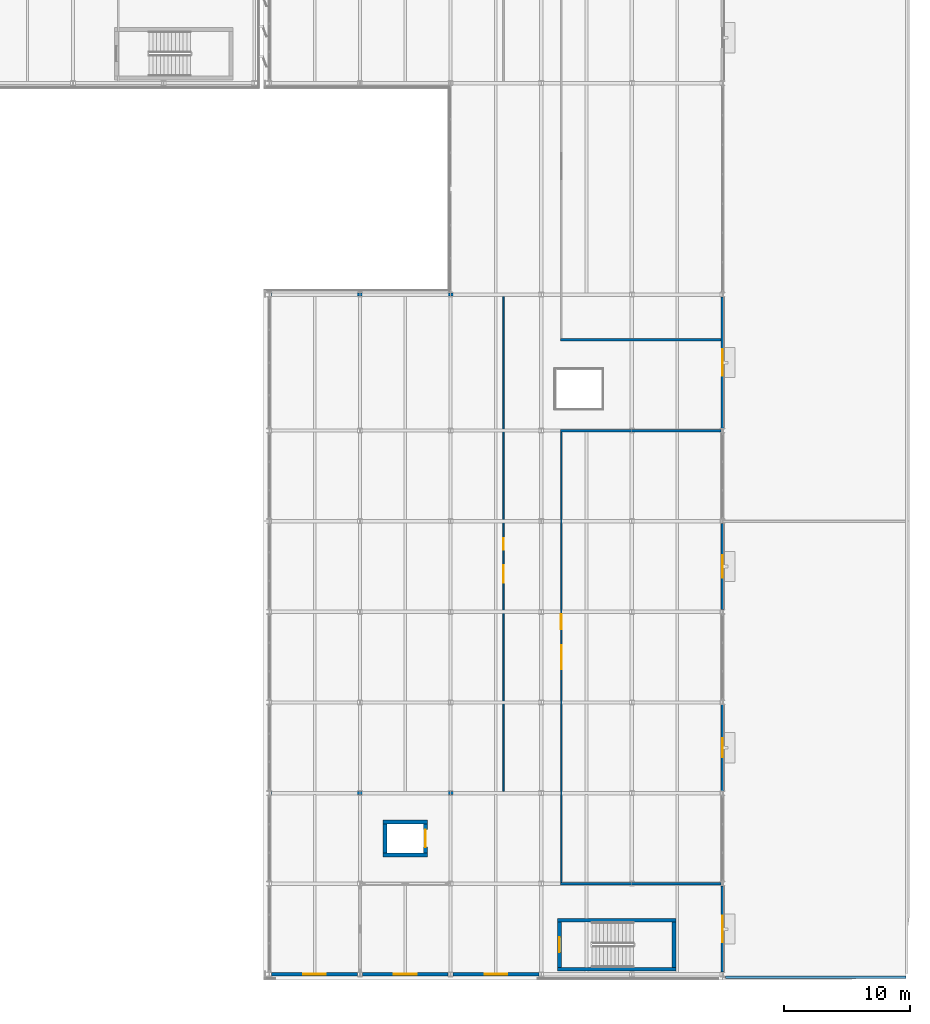
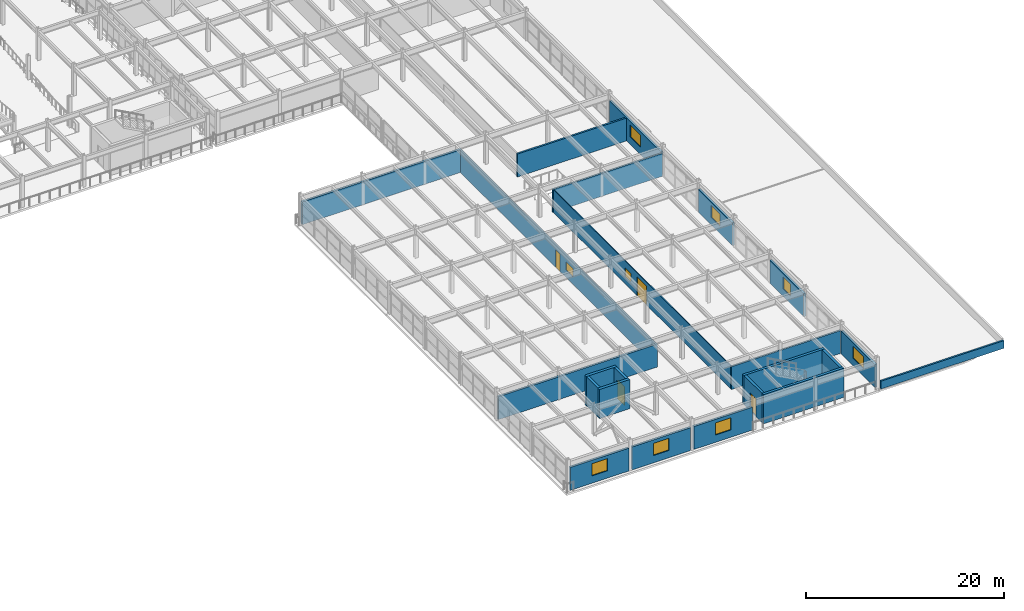
# One storey, part 54 of 80: 23 walls, 9 windows, 4 doors, 13 openings.
"""IFC4 building model written with IfcOpenShell, lengths in metres."""

from ifc_helpers import new_model, si_unit, direction, frame, frame_2d, origin, place, context, subcontext, project, spatial, rectangle, extrude, material, layer, layer_set, type_object, element, fill, save


model = new_model("IFC4")

# Units and contexts
model_context = context("Model", 3, precision=1e-05, world=origin(), true_north=direction((0.0, 1.0)))
body_context = subcontext(model_context, "Body", "Model", "MODEL_VIEW")
ifc_project = project(units=[si_unit("LENGTHUNIT", "METRE"), si_unit("AREAUNIT", "SQUARE_METRE"), si_unit("VOLUMEUNIT", "CUBIC_METRE"), si_unit("PLANEANGLEUNIT", "RADIAN"), si_unit("MASSUNIT", "GRAM", prefix="KILO")], contexts=[model_context])

# Site, building, storey
site_placement = place(None, origin())
site = spatial("IfcSite", under=ifc_project, at=site_placement, CompositionType="ELEMENT")
building_placement = place(site_placement, origin())
building = spatial("IfcBuilding", under=site, at=building_placement, Name="Vaelcorin Mobility Hub", CompositionType="ELEMENT")
storey_placement = place(building_placement, frame((0.0, 0.0, 9.300048828125)))
storey = spatial("IfcBuildingStorey", under=building, at=storey_placement, Name="L02", CompositionType="ELEMENT", Elevation=9.300048828125)

# Walls
ifc_material_1 = material(Name="Reinforced concrete f'c 45 MPa", Category="concrete")
ifc_layer_1 = layer(ifc_material_1, 0.300048828125)
ifc_layer_set_1 = layer_set([ifc_layer_1], Name="Reinforced concrete f'c 45 MPa")
wall_type_1 = type_object("IfcWallType", Name="WL-CORE-300", PredefinedType="SOLIDWALL", material=ifc_layer_set_1)
for number, where, z_axis, x_axis, name in (
    (1, (185.89990234375, 6.39990234375, 0.0), (0.0, 0.0, 1.0), (-1.0, 0.0, 0.0), "ST5 Fire Core Wall L02 South"),
    (2, (176.5, 10.300048828125, 0.0), (0.0, 0.0, 1.0), (1.0, 0.0, 0.0), "ST5 Fire Core Wall L02 North"),
):
    element("IfcWall", number, at=place(storey_placement, frame(where, z_axis=z_axis, x_axis=x_axis)), inside=storey, type_object=wall_type_1, Name=name, PredefinedType="SOLIDWALL", context=body_context, shape_type="SweptSolid", body=[
        extrude(rectangle(XDim=9.39990234375, YDim=0.300048828125, at=frame_2d((4.699951171875, 0.0))), origin(), (0.0, 0.0, 1.0), 3.599853515625),
    ])

# Wall, opening, door
wall_1_placement = place(storey_placement, frame((176.64990234375, 6.550048828125, 0.0), z_axis=(0.0, 0.0, 1.0), x_axis=(0.0, 1.0, 0.0)))
wall_1 = element("IfcWall", 3, at=wall_1_placement, inside=storey, type_object=wall_type_1, Name="ST5 Fire Core Wall L02 West", PredefinedType="SOLIDWALL", context=body_context, shape_type="SweptSolid", body=[
    extrude(rectangle(XDim=3.599853515625, YDim=0.300048828125, at=frame_2d((1.7998046875, 0.0))), origin(), (0.0, 0.0, 1.0), 3.599853515625),
])
opening_1_placement = place(wall_1_placement, frame((1.199951171875, 0.0, 0.0)))
opening_1 = element("IfcOpeningElement", 4, at=opening_1_placement, cuts=wall_1, Name="Opening SD01", PredefinedType="OPENING", context=body_context, shape_type="SweptSolid", body=[
    extrude(rectangle(XDim=1.199951171875, YDim=2.199951171875, at=frame_2d((0.60009765625, 1.10009765625))), frame((0.0, 0.159912109375, 0.0), z_axis=(0.0, -1.0, 0.0), x_axis=(1.0, 0.0, 0.0)), (0.0, 0.0, 1.0), 0.320068359375),
])
ifc_material_2 = material(Name="Hollow-metal insulated steel fire door", Category="steel")
door_type_1 = type_object("IfcDoorType", Name="DR-STAIR-90", OperationType="NOTDEFINED", PredefinedType="DOOR", material=ifc_material_2)
door_1_placement = place(opening_1_placement, origin())
door_1 = element("IfcDoor", 5, at=door_1_placement, inside=storey, type_object=door_type_1, Name="ST5 Protected Stair Door L02", OperationType="SINGLE_SWING_LEFT", OverallHeight=2.199951171875, OverallWidth=1.199951171875, PredefinedType="DOOR", context=body_context, shape_type="SweptSolid", body=[
    extrude(rectangle(XDim=1.199951171875, YDim=2.199951171875, at=frame_2d((0.60009765625, 1.10009765625))), frame((0.0, 0.02490234375, 0.0), z_axis=(0.0, -1.0, 0.0), x_axis=(1.0, 0.0, 0.0)), (0.0, 0.0, 1.0), 0.050048828125),
])
fill(opening_1, door_1)

# Wall
wall_2_placement = place(storey_placement, frame((185.75, 10.14990234375, 0.0), z_axis=(0.0, 0.0, 1.0), x_axis=(0.0, -1.0, 0.0)))
element("IfcWall", 6, at=wall_2_placement, inside=storey, type_object=wall_type_1, Name="ST5 Fire Core Wall L02 East", PredefinedType="SOLIDWALL", context=body_context, shape_type="SweptSolid", body=[
    extrude(rectangle(XDim=3.599853515625, YDim=0.300048828125, at=frame_2d((1.7998046875, 0.0))), origin(), (0.0, 0.0, 1.0), 3.599853515625),
])

# Wall, opening, window
ifc_material_3 = material(Name="Insulated exterior precast concrete C40/50", Category="concrete")
ifc_layer_2 = layer(ifc_material_3, 0.260009765625)
ifc_layer_set_2 = layer_set([ifc_layer_2], Name="Insulated exterior precast concrete C40/50")
wall_type_2 = type_object("IfcWallType", Name="WL-EXT-260", PredefinedType="STANDARD", material=ifc_layer_set_2)
wall_3_placement = place(storey_placement, frame((189.60009765625, 13.02001953125, 0.0), z_axis=(0.0, 0.0, 1.0), x_axis=(0.0, -1.0, 0.0)))
wall_3 = element("IfcWall", 7, at=wall_3_placement, inside=storey, type_object=wall_type_2, Name="L02 Exterior Wall V5-EW-L02-E-01", PredefinedType="STANDARD", context=body_context, shape_type="SweptSolid", body=[
    extrude(rectangle(XDim=6.840087890625, YDim=0.260009765625, at=frame_2d((3.419921875, 0.0))), origin(), (0.0, 0.0, 1.0), 2.827880859375),
])
opening_2_placement = place(wall_3_placement, frame((2.3701171875, 0.0, 0.89990234375)))
opening_2 = element("IfcOpeningElement", 8, at=opening_2_placement, cuts=wall_3, Name="Opening WN19", PredefinedType="OPENING", context=body_context, shape_type="SweptSolid", body=[
    extrude(rectangle(XDim=2.10009765625, YDim=1.5, at=frame_2d((1.050048828125, 0.75))), frame((0.0, 0.139892578125, 0.0), z_axis=(0.0, -1.0, 0.0), x_axis=(1.0, 0.0, 0.0)), (0.0, 0.0, 1.0), 0.280029296875),
])
ifc_material_4 = material(Name="Double-glazed low-E window unit", Category="glass")
window_type_1 = type_object("IfcWindowType", Name="WIN-2100X1500", PartitioningType="SINGLE_PANEL", PredefinedType="WINDOW", material=ifc_material_4)
window_1_placement = place(opening_2_placement, origin())
window_1 = element("IfcWindow", 9, at=window_1_placement, inside=storey, type_object=window_type_1, Name="L02 Window V5-EW-L02-E-01-WN", OverallHeight=1.5, OverallWidth=2.10009765625, PartitioningType="SINGLE_PANEL", PredefinedType="WINDOW", context=body_context, shape_type="SweptSolid", body=[
    extrude(rectangle(XDim=2.10009765625, YDim=1.5, at=frame_2d((1.050048828125, 0.75))), frame((0.0, 0.030029296875, 0.0), z_axis=(0.0, -1.0, 0.0), x_axis=(1.0, 0.0, 0.0)), (0.0, 0.0, 1.0), 0.06005859375),
])
fill(opening_2, window_1)

wall_4_placement = place(storey_placement, frame((189.60009765625, 27.419921875, 0.0), z_axis=(0.0, 0.0, 1.0), x_axis=(0.0, -1.0, 0.0)))
wall_4 = element("IfcWall", 10, at=wall_4_placement, inside=storey, type_object=wall_type_2, Name="L02 Exterior Wall V5-EW-L02-E-03", PredefinedType="STANDARD", context=body_context, shape_type="SweptSolid", body=[
    extrude(rectangle(XDim=6.83984375, YDim=0.260009765625, at=frame_2d((3.419921875, 0.0))), origin(), (0.0, 0.0, 1.0), 2.827880859375),
])
opening_3_placement = place(wall_4_placement, frame((2.669921875, 0.0, 0.89990234375)))
opening_3 = element("IfcOpeningElement", 11, at=opening_3_placement, cuts=wall_4, Name="Opening WN13", PredefinedType="OPENING", context=body_context, shape_type="SweptSolid", body=[
    extrude(rectangle(XDim=1.5, YDim=1.5, at=frame_2d((0.75, 0.75))), frame((0.0, 0.139892578125, 0.0), z_axis=(0.0, -1.0, 0.0), x_axis=(1.0, 0.0, 0.0)), (0.0, 0.0, 1.0), 0.280029296875),
])
window_type_2 = type_object("IfcWindowType", Name="WIN-1500X1500", PartitioningType="SINGLE_PANEL", PredefinedType="WINDOW", material=ifc_material_4)
window_2_placement = place(opening_3_placement, origin())
window_2 = element("IfcWindow", 12, at=window_2_placement, inside=storey, type_object=window_type_2, Name="L02 Window V5-EW-L02-E-03-WN", OverallHeight=1.5, OverallWidth=1.5, PartitioningType="SINGLE_PANEL", PredefinedType="WINDOW", context=body_context, shape_type="SweptSolid", body=[
    extrude(rectangle(XDim=1.5, YDim=1.5, at=frame_2d((0.75, 0.75))), frame((0.0, 0.030029296875, 0.0), z_axis=(0.0, -1.0, 0.0), x_axis=(1.0, 0.0, 0.0)), (0.0, 0.0, 1.0), 0.06005859375),
])
fill(opening_3, window_2)

wall_5_placement = place(storey_placement, frame((189.60009765625, 41.820068359375, 0.0), z_axis=(0.0, 0.0, 1.0), x_axis=(0.0, -1.0, 0.0)))
wall_5 = element("IfcWall", 13, at=wall_5_placement, inside=storey, type_object=wall_type_2, Name="L02 Exterior Wall V5-EW-L02-E-05", PredefinedType="STANDARD", context=body_context, shape_type="SweptSolid", body=[
    extrude(rectangle(XDim=6.840087890625, YDim=0.260009765625, at=frame_2d((3.419921875, 0.0))), origin(), (0.0, 0.0, 1.0), 2.827880859375),
])
opening_4_placement = place(wall_5_placement, frame((2.52001953125, 0.0, 0.89990234375)))
opening_4 = element("IfcOpeningElement", 14, at=opening_4_placement, cuts=wall_5, Name="Opening WN12", PredefinedType="OPENING", context=body_context, shape_type="SweptSolid", body=[
    extrude(rectangle(XDim=1.800048828125, YDim=1.5, at=frame_2d((0.89990234375, 0.75))), frame((0.0, 0.139892578125, 0.0), z_axis=(0.0, -1.0, 0.0), x_axis=(1.0, 0.0, 0.0)), (0.0, 0.0, 1.0), 0.280029296875),
])
window_type_3 = type_object("IfcWindowType", Name="WIN-1800X1500", PartitioningType="SINGLE_PANEL", PredefinedType="WINDOW", material=ifc_material_4)
window_3_placement = place(opening_4_placement, origin())
window_3 = element("IfcWindow", 15, at=window_3_placement, inside=storey, type_object=window_type_3, Name="L02 Window V5-EW-L02-E-05-WN", OverallHeight=1.5, OverallWidth=1.800048828125, PartitioningType="SINGLE_PANEL", PredefinedType="WINDOW", context=body_context, shape_type="SweptSolid", body=[
    extrude(rectangle(XDim=1.800048828125, YDim=1.5, at=frame_2d((0.89990234375, 0.75))), frame((0.0, 0.030029296875, 0.0), z_axis=(0.0, -1.0, 0.0), x_axis=(1.0, 0.0, 0.0)), (0.0, 0.0, 1.0), 0.06005859375),
])
fill(opening_4, window_3)

wall_6_placement = place(storey_placement, frame((189.60009765625, 59.820068359375, 0.0), z_axis=(0.0, 0.0, 1.0), x_axis=(0.0, -1.0, 0.0)))
wall_6 = element("IfcWall", 16, at=wall_6_placement, inside=storey, type_object=wall_type_2, Name="L02 Exterior Wall V5-EW-L02-E-07", PredefinedType="STANDARD", context=body_context, shape_type="SweptSolid", body=[
    extrude(rectangle(XDim=10.440185546875, YDim=0.260009765625, at=frame_2d((5.22021484375, 0.0))), origin(), (0.0, 0.0, 1.0), 2.827880859375),
])
opening_5_placement = place(wall_6_placement, frame((4.169921875, 0.0, 0.89990234375)))
opening_5 = element("IfcOpeningElement", 17, at=opening_5_placement, cuts=wall_6, Name="Opening WN19", PredefinedType="OPENING", context=body_context, shape_type="SweptSolid", body=[
    extrude(rectangle(XDim=2.10009765625, YDim=1.5, at=frame_2d((1.050048828125, 0.75))), frame((0.0, 0.139892578125, 0.0), z_axis=(0.0, -1.0, 0.0), x_axis=(1.0, 0.0, 0.0)), (0.0, 0.0, 1.0), 0.280029296875),
])
window_4_placement = place(opening_5_placement, origin())
window_4 = element("IfcWindow", 18, at=window_4_placement, inside=storey, type_object=window_type_1, Name="L02 Window V5-EW-L02-E-07-WN", OverallHeight=1.5, OverallWidth=2.10009765625, PartitioningType="SINGLE_PANEL", PredefinedType="WINDOW", context=body_context, shape_type="SweptSolid", body=[
    extrude(rectangle(XDim=2.10009765625, YDim=1.5, at=frame_2d((1.050048828125, 0.75))), frame((0.0, 0.030029296875, 0.0), z_axis=(0.0, -1.0, 0.0), x_axis=(1.0, 0.0, 0.0)), (0.0, 0.0, 1.0), 0.06005859375),
])
fill(opening_5, window_4)

wall_7_placement = place(storey_placement, frame((160.60888671875, 6.0, 0.0), z_axis=(0.0, 0.0, 1.0), x_axis=(-1.0, 0.0, 0.0)))
wall_7 = element("IfcWall", 19, at=wall_7_placement, inside=storey, type_object=wall_type_2, Name="L02 Exterior Wall V5-EW-L02-S-01", PredefinedType="STANDARD", context=body_context, shape_type="SweptSolid", body=[
    extrude(rectangle(XDim=6.81787109375, YDim=0.260009765625, at=frame_2d((3.408935546875, 0.0))), origin(), (0.0, 0.0, 1.0), 2.827880859375),
])
opening_6_placement = place(wall_7_placement, frame((2.509033203125, 0.0, 0.89990234375)))
opening_6 = element("IfcOpeningElement", 20, at=opening_6_placement, cuts=wall_7, Name="Opening WN12", PredefinedType="OPENING", context=body_context, shape_type="SweptSolid", body=[
    extrude(rectangle(XDim=1.800048828125, YDim=1.5, at=frame_2d((0.89990234375, 0.75))), frame((0.0, 0.139892578125, 0.0), z_axis=(0.0, -1.0, 0.0), x_axis=(1.0, 0.0, 0.0)), (0.0, 0.0, 1.0), 0.280029296875),
])
window_5_placement = place(opening_6_placement, origin())
window_5 = element("IfcWindow", 21, at=window_5_placement, inside=storey, type_object=window_type_3, Name="L02 Window V5-EW-L02-S-01-WN", OverallHeight=1.5, OverallWidth=1.800048828125, PartitioningType="SINGLE_PANEL", PredefinedType="WINDOW", context=body_context, shape_type="SweptSolid", body=[
    extrude(rectangle(XDim=1.800048828125, YDim=1.5, at=frame_2d((0.89990234375, 0.75))), frame((0.0, 0.030029296875, 0.0), z_axis=(0.0, -1.0, 0.0), x_axis=(1.0, 0.0, 0.0)), (0.0, 0.0, 1.0), 0.06005859375),
])
fill(opening_6, window_5)

wall_8_placement = place(storey_placement, frame((167.80908203125, 6.0, 0.0), z_axis=(0.0, 0.0, 1.0), x_axis=(-1.0, 0.0, 0.0)))
wall_8 = element("IfcWall", 22, at=wall_8_placement, inside=storey, type_object=wall_type_2, Name="L02 Exterior Wall V5-EW-L02-S-02", PredefinedType="STANDARD", context=body_context, shape_type="SweptSolid", body=[
    extrude(rectangle(XDim=6.818115234375, YDim=0.260009765625, at=frame_2d((3.4091796875, 0.0))), origin(), (0.0, 0.0, 1.0), 2.827880859375),
])
opening_7_placement = place(wall_8_placement, frame((2.509033203125, 0.0, 0.89990234375)))
opening_7 = element("IfcOpeningElement", 23, at=opening_7_placement, cuts=wall_8, Name="Opening WN12", PredefinedType="OPENING", context=body_context, shape_type="SweptSolid", body=[
    extrude(rectangle(XDim=1.800048828125, YDim=1.5, at=frame_2d((0.89990234375, 0.75))), frame((0.0, 0.139892578125, 0.0), z_axis=(0.0, -1.0, 0.0), x_axis=(1.0, 0.0, 0.0)), (0.0, 0.0, 1.0), 0.280029296875),
])
window_6_placement = place(opening_7_placement, origin())
window_6 = element("IfcWindow", 24, at=window_6_placement, inside=storey, type_object=window_type_3, Name="L02 Window V5-EW-L02-S-02-WN", OverallHeight=1.5, OverallWidth=1.800048828125, PartitioningType="SINGLE_PANEL", PredefinedType="WINDOW", context=body_context, shape_type="SweptSolid", body=[
    extrude(rectangle(XDim=1.800048828125, YDim=1.5, at=frame_2d((0.89990234375, 0.75))), frame((0.0, 0.030029296875, 0.0), z_axis=(0.0, -1.0, 0.0), x_axis=(1.0, 0.0, 0.0)), (0.0, 0.0, 1.0), 0.06005859375),
])
fill(opening_7, window_6)

wall_9_placement = place(storey_placement, frame((175.009033203125, 6.0, 0.0), z_axis=(0.0, 0.0, 1.0), x_axis=(-1.0, 0.0, 0.0)))
wall_9 = element("IfcWall", 25, at=wall_9_placement, inside=storey, type_object=wall_type_2, Name="L02 Exterior Wall V5-EW-L02-S-03", PredefinedType="STANDARD", context=body_context, shape_type="SweptSolid", body=[
    extrude(rectangle(XDim=6.818115234375, YDim=0.260009765625, at=frame_2d((3.4091796875, 0.0))), origin(), (0.0, 0.0, 1.0), 2.827880859375),
])
opening_8_placement = place(wall_9_placement, frame((2.509033203125, 0.0, 0.89990234375)))
opening_8 = element("IfcOpeningElement", 26, at=opening_8_placement, cuts=wall_9, Name="Opening WN12", PredefinedType="OPENING", context=body_context, shape_type="SweptSolid", body=[
    extrude(rectangle(XDim=1.800048828125, YDim=1.5, at=frame_2d((0.89990234375, 0.75))), frame((0.0, 0.139892578125, 0.0), z_axis=(0.0, -1.0, 0.0), x_axis=(1.0, 0.0, 0.0)), (0.0, 0.0, 1.0), 0.280029296875),
])
window_7_placement = place(opening_8_placement, origin())
window_7 = element("IfcWindow", 27, at=window_7_placement, inside=storey, type_object=window_type_3, Name="L02 Window V5-EW-L02-S-03-WN", OverallHeight=1.5, OverallWidth=1.800048828125, PartitioningType="SINGLE_PANEL", PredefinedType="WINDOW", context=body_context, shape_type="SweptSolid", body=[
    extrude(rectangle(XDim=1.800048828125, YDim=1.5, at=frame_2d((0.89990234375, 0.75))), frame((0.0, 0.030029296875, 0.0), z_axis=(0.0, -1.0, 0.0), x_axis=(1.0, 0.0, 0.0)), (0.0, 0.0, 1.0), 0.06005859375),
])
fill(opening_8, window_7)

# Wall
ifc_layer_3 = layer(ifc_material_3, 0.199951171875)
ifc_layer_set_3 = layer_set([ifc_layer_3], Name="Insulated exterior precast concrete C40/50")
wall_type_3 = type_object("IfcWallType", Name="WL-PAR-200", PredefinedType="PARAPET", material=ifc_layer_set_3)
wall_10_placement = place(storey_placement, frame((189.85009765625, 5.75, 0.0), z_axis=(0.0, 0.0, 1.0), x_axis=(1.0, 0.0, 0.0)))
element("IfcWall", 28, at=wall_10_placement, inside=storey, type_object=wall_type_3, Name="L02 Exterior Wall PAR-V5E-S", PredefinedType="PARAPET", context=body_context, shape_type="SweptSolid", body=[
    extrude(rectangle(XDim=14.349853515625, YDim=0.199951171875, at=frame_2d((7.1748046875, 0.0))), origin(), (0.0, 0.0, 1.0), 0.949951171875),
])

# Wall, openings, door, window
ifc_material_5 = material(Name="Fire-rated acoustic steel-stud gypsum board", Category="steel")
ifc_layer_4 = layer(ifc_material_5, 0.10009765625)
ifc_layer_set_4 = layer_set([ifc_layer_4], Name="Fire-rated acoustic steel-stud gypsum board")
wall_type_4 = type_object("IfcWallType", Name="WL-PART-100", PredefinedType="PARTITIONING", material=ifc_layer_set_4)
wall_11_placement = place(storey_placement, frame((176.800048828125, 13.298095703125, 0.0), z_axis=(0.0, 0.0, 1.0), x_axis=(0.0, 1.0, 0.0)))
wall_11 = element("IfcWall", 29, at=wall_11_placement, inside=storey, type_object=wall_type_4, Name="Intermodal Network Control Suite Partition West", PredefinedType="PARTITIONING", context=body_context, shape_type="SweptSolid", body=[
    extrude(rectangle(XDim=35.801025390625, YDim=0.10009765625, at=frame_2d((17.900390625, 0.0))), origin(), (0.0, 0.0, 1.0), 2.822998046875),
])
opening_9_placement = place(wall_11_placement, frame((16.949951171875, 0.0, 0.0)))
opening_9 = element("IfcOpeningElement", 30, at=opening_9_placement, cuts=wall_11, Name="Opening ID50", PredefinedType="OPENING", context=body_context, shape_type="SweptSolid", body=[
    extrude(rectangle(XDim=1.89990234375, YDim=2.340087890625, at=frame_2d((0.949951171875, 1.169921875))), frame((0.0, 0.06005859375, 0.0), z_axis=(0.0, -1.0, 0.0), x_axis=(1.0, 0.0, 0.0)), (0.0, 0.0, 1.0), 0.1201171875),
])
opening_10_placement = place(wall_11_placement, frame((20.10009765625, 0.0, 0.949951171875)))
opening_10 = element("IfcOpeningElement", 31, at=opening_10_placement, cuts=wall_11, Name="Opening IW-WN02", PredefinedType="OPENING", context=body_context, shape_type="SweptSolid", body=[
    extrude(rectangle(XDim=1.199951171875, YDim=1.0, at=frame_2d((0.60009765625, 0.5))), frame((0.0, 0.06005859375, 0.0), z_axis=(0.0, -1.0, 0.0), x_axis=(1.0, 0.0, 0.0)), (0.0, 0.0, 1.0), 0.1201171875),
])
door_type_2 = type_object("IfcDoorType", Name="DR-INT-50", OperationType="NOTDEFINED", PredefinedType="DOOR", material=ifc_material_2)
door_2_placement = place(opening_9_placement, origin())
door_2 = element("IfcDoor", 32, at=door_2_placement, inside=storey, type_object=door_type_2, Name="Intermodal Network Control Suite Door", OperationType="SINGLE_SWING_RIGHT", OverallHeight=2.340087890625, OverallWidth=1.89990234375, PredefinedType="DOOR", context=body_context, shape_type="SweptSolid", body=[
    extrude(rectangle(XDim=1.89990234375, YDim=2.340087890625, at=frame_2d((0.949951171875, 1.169921875))), frame((0.0, 0.02490234375, 0.0), z_axis=(0.0, -1.0, 0.0), x_axis=(1.0, 0.0, 0.0)), (0.0, 0.0, 1.0), 0.050048828125),
])
fill(opening_9, door_2)
ifc_material_6 = material(Name="Acoustic laminated fire-rated interior glazing", Category="glass")
window_type_4 = type_object("IfcWindowType", Name="WIN-INT-02", PartitioningType="SINGLE_PANEL", PredefinedType="WINDOW", material=ifc_material_6)
window_8_placement = place(opening_10_placement, origin())
window_8 = element("IfcWindow", 33, at=window_8_placement, inside=storey, type_object=window_type_4, Name="Intermodal Network Control Suite Observation Glazing", OverallHeight=1.0, OverallWidth=1.199951171875, PartitioningType="SINGLE_PANEL", PredefinedType="WINDOW", context=body_context, shape_type="SweptSolid", body=[
    extrude(rectangle(XDim=1.199951171875, YDim=1.0, at=frame_2d((0.60009765625, 0.5))), frame((0.0, 0.030029296875, 0.0), z_axis=(0.0, -1.0, 0.0), x_axis=(1.0, 0.0, 0.0)), (0.0, 0.0, 1.0), 0.06005859375),
])
fill(opening_10, window_8)

ifc_layer_5 = layer(ifc_material_5, 0.114990234375)
ifc_layer_set_5 = layer_set([ifc_layer_5], Name="Fire-rated acoustic steel-stud gypsum board")
wall_type_5 = type_object("IfcWallType", Name="WL-PART-115", PredefinedType="PARTITIONING", material=ifc_layer_set_5)
wall_12_placement = place(storey_placement, frame((172.199951171875, 59.873046875, 0.0), z_axis=(0.0, 0.0, 1.0), x_axis=(0.0, -1.0, 0.0)))
wall_12 = element("IfcWall", 34, at=wall_12_placement, inside=storey, type_object=wall_type_5, Name="Regional Transit Boardroom Partition East", PredefinedType="PARTITIONING", context=body_context, shape_type="SweptSolid", body=[
    extrude(rectangle(XDim=39.35400390625, YDim=0.114990234375, at=frame_2d((19.677001953125, 0.0))), origin(), (0.0, 0.0, 1.0), 2.822998046875),
])
opening_11_placement = place(wall_12_placement, frame((19.22705078125, 0.0, 0.0)))
opening_11 = element("IfcOpeningElement", 35, at=opening_11_placement, cuts=wall_12, Name="Opening ID01", PredefinedType="OPENING", context=body_context, shape_type="SweptSolid", body=[
    extrude(rectangle(XDim=0.89990234375, YDim=2.10009765625, at=frame_2d((0.449951171875, 1.050048828125))), frame((0.0, 0.0673828125, 0.0), z_axis=(0.0, -1.0, 0.0), x_axis=(1.0, 0.0, 0.0)), (0.0, 0.0, 1.0), 0.135009765625),
])
opening_12_placement = place(wall_12_placement, frame((21.376953125, 0.0, 0.949951171875)))
opening_12 = element("IfcOpeningElement", 36, at=opening_12_placement, cuts=wall_12, Name="Opening IW-WN03", PredefinedType="OPENING", context=body_context, shape_type="SweptSolid", body=[
    extrude(rectangle(XDim=1.39990234375, YDim=1.0, at=frame_2d((0.699951171875, 0.5))), frame((0.0, 0.0673828125, 0.0), z_axis=(0.0, -1.0, 0.0), x_axis=(1.0, 0.0, 0.0)), (0.0, 0.0, 1.0), 0.135009765625),
])
ifc_material_7 = material(Name="Solid-core hardwood fire door assembly", Category="wood")
door_type_3 = type_object("IfcDoorType", Name="DR-INT-01", OperationType="NOTDEFINED", PredefinedType="DOOR", material=ifc_material_7)
door_3_placement = place(opening_11_placement, origin())
door_3 = element("IfcDoor", 37, at=door_3_placement, inside=storey, type_object=door_type_3, Name="Regional Transit Boardroom Door", OperationType="SINGLE_SWING_LEFT", OverallHeight=2.10009765625, OverallWidth=0.89990234375, PredefinedType="DOOR", context=body_context, shape_type="SweptSolid", body=[
    extrude(rectangle(XDim=0.89990234375, YDim=2.10009765625, at=frame_2d((0.449951171875, 1.050048828125))), frame((0.0, 0.02490234375, 0.0), z_axis=(0.0, -1.0, 0.0), x_axis=(1.0, 0.0, 0.0)), (0.0, 0.0, 1.0), 0.050048828125),
])
fill(opening_11, door_3)
window_type_5 = type_object("IfcWindowType", Name="WIN-INT-03", PartitioningType="SINGLE_PANEL", PredefinedType="WINDOW", material=ifc_material_6)
window_9_placement = place(opening_12_placement, origin())
window_9 = element("IfcWindow", 38, at=window_9_placement, inside=storey, type_object=window_type_5, Name="Regional Transit Boardroom Observation Glazing", OverallHeight=1.0, OverallWidth=1.39990234375, PartitioningType="SINGLE_PANEL", PredefinedType="WINDOW", context=body_context, shape_type="SweptSolid", body=[
    extrude(rectangle(XDim=1.39990234375, YDim=1.0, at=frame_2d((0.699951171875, 0.5))), frame((0.0, 0.030029296875, 0.0), z_axis=(0.0, -1.0, 0.0), x_axis=(1.0, 0.0, 0.0)), (0.0, 0.0, 1.0), 0.06005859375),
])
fill(opening_12, window_9)

# Walls
ifc_layer_6 = layer(ifc_material_5, 0.19189453125)
ifc_layer_set_6 = layer_set([ifc_layer_6], Name="Fire-rated acoustic steel-stud gypsum board")
wall_type_6 = type_object("IfcWallType", Name="WL-PART-192", PredefinedType="PARTITIONING", material=ifc_layer_set_6)
wall_13_placement = place(storey_placement, frame((189.468017578125, 13.199951171875, 0.0), z_axis=(0.0, 0.0, 1.0), x_axis=(-1.0, 0.0, 0.0)))
element("IfcWall", 39, at=wall_13_placement, inside=storey, type_object=wall_type_6, Name="Intermodal Network Control Suite Partition South", PredefinedType="PARTITIONING", context=body_context, shape_type="SweptSolid", body=[
    extrude(rectangle(XDim=12.748046875, YDim=0.19189453125, at=frame_2d((6.3740234375, 0.0))), origin(), (0.0, 0.0, 1.0), 2.822998046875),
])
ifc_material_8 = material(Name="Reinforced acoustic concrete masonry C30/37", Category="masonry")
ifc_layer_7 = layer(ifc_material_8, 0.197998046875)
ifc_layer_set_7 = layer_set([ifc_layer_7], Name="Reinforced acoustic concrete masonry C30/37")
wall_type_7 = type_object("IfcWallType", Name="WL-PART-198", PredefinedType="PARTITIONING", material=ifc_layer_set_7)
wall_14_placement = place(storey_placement, frame((176.719970703125, 49.199951171875, 0.0), z_axis=(0.0, 0.0, 1.0), x_axis=(1.0, 0.0, 0.0)))
element("IfcWall", 40, at=wall_14_placement, inside=storey, type_object=wall_type_7, Name="Intermodal Network Control Suite Partition North", PredefinedType="PARTITIONING", context=body_context, shape_type="SweptSolid", body=[
    extrude(rectangle(XDim=12.748046875, YDim=0.197998046875, at=frame_2d((6.3740234375, 0.0))), origin(), (0.0, 0.0, 1.0), 2.822998046875),
])
ifc_layer_8 = layer(ifc_material_8, 0.205078125)
ifc_layer_set_8 = layer_set([ifc_layer_8], Name="Reinforced acoustic concrete masonry C30/37")
wall_type_8 = type_object("IfcWallType", Name="WL-PART-205", PredefinedType="PARTITIONING", material=ifc_layer_set_8)
wall_15_placement = place(storey_placement, frame((189.468017578125, 56.39990234375, 0.0), z_axis=(0.0, 0.0, 1.0), x_axis=(-1.0, 0.0, 0.0)))
element("IfcWall", 41, at=wall_15_placement, inside=storey, type_object=wall_type_8, Name="ITS Server and Telecoms Room Partition South", PredefinedType="PARTITIONING", context=body_context, shape_type="SweptSolid", body=[
    extrude(rectangle(XDim=12.748046875, YDim=0.205078125, at=frame_2d((6.3740234375, 0.0))), origin(), (0.0, 0.0, 1.0), 2.822998046875),
])
ifc_layer_9 = layer(ifc_material_8, 0.235107421875)
ifc_layer_set_9 = layer_set([ifc_layer_9], Name="Reinforced acoustic concrete masonry C30/37")
wall_type_9 = type_object("IfcWallType", Name="WL-PART-235", PredefinedType="PARTITIONING", material=ifc_layer_set_9)
wall_16_placement = place(storey_placement, frame((172.280029296875, 20.39990234375, 0.0), z_axis=(0.0, 0.0, 1.0), x_axis=(-1.0, 0.0, 0.0)))
element("IfcWall", 42, at=wall_16_placement, inside=storey, type_object=wall_type_9, Name="Regional Transit Boardroom Partition South", PredefinedType="PARTITIONING", context=body_context, shape_type="SweptSolid", body=[
    extrude(rectangle(XDim=18.548095703125, YDim=0.235107421875, at=frame_2d((9.27392578125, 0.0))), origin(), (0.0, 0.0, 1.0), 2.822998046875),
])
ifc_layer_10 = layer(ifc_material_8, 0.25)
ifc_layer_set_10 = layer_set([ifc_layer_10], Name="Reinforced acoustic concrete masonry C30/37")
wall_type_10 = type_object("IfcWallType", Name="WL-PART-250", PredefinedType="PARTITIONING", material=ifc_layer_set_10)
wall_17_placement = place(storey_placement, frame((153.73193359375, 60.0, 0.0), z_axis=(0.0, 0.0, 1.0), x_axis=(1.0, 0.0, 0.0)))
element("IfcWall", 43, at=wall_17_placement, inside=storey, type_object=wall_type_10, Name="Regional Transit Boardroom Partition North", PredefinedType="PARTITIONING", context=body_context, shape_type="SweptSolid", body=[
    extrude(rectangle(XDim=18.548095703125, YDim=0.25, at=frame_2d((9.27392578125, 0.0))), origin(), (0.0, 0.0, 1.0), 2.822998046875),
])
ifc_layer_11 = layer(ifc_material_1, 0.324951171875)
ifc_layer_set_11 = layer_set([ifc_layer_11], Name="Reinforced concrete f'c 45 MPa")
wall_type_11 = type_object("IfcWallType", Name="WL-SHEAR-325", PredefinedType="SHEAR", material=ifc_layer_set_11)
for number, where, z_axis, x_axis, name in (
    (44, (166.175048828125, 15.488037109375, 0.0), (0.0, 0.0, 1.0), (-1.0, 0.0, 0.0), "LF5 Lift Shaft Shear Wall L02 South"),
    (45, (162.625, 18.112060546875, 0.0), (0.0, 0.0, 1.0), (1.0, 0.0, 0.0), "LF5 Lift Shaft Shear Wall L02 North"),
):
    element("IfcWall", number, at=place(storey_placement, frame(where, z_axis=z_axis, x_axis=x_axis)), inside=storey, type_object=wall_type_11, Name=name, PredefinedType="SHEAR", context=body_context, shape_type="SweptSolid", body=[
        extrude(rectangle(XDim=3.550048828125, YDim=0.324951171875, at=frame_2d((1.77490234375, 0.0))), origin(), (0.0, 0.0, 1.0), 3.599853515625),
    ])
wall_18_placement = place(storey_placement, frame((162.7880859375, 15.64990234375, 0.0), z_axis=(0.0, 0.0, 1.0), x_axis=(0.0, 1.0, 0.0)))
element("IfcWall", 46, at=wall_18_placement, inside=storey, type_object=wall_type_11, Name="LF5 Lift Shaft Shear Wall L02 West", PredefinedType="SHEAR", context=body_context, shape_type="SweptSolid", body=[
    extrude(rectangle(XDim=2.300048828125, YDim=0.324951171875, at=frame_2d((1.14990234375, 0.0))), origin(), (0.0, 0.0, 1.0), 3.599853515625),
])

# Wall, opening, door
wall_19_placement = place(storey_placement, frame((166.011962890625, 17.949951171875, 0.0), z_axis=(0.0, 0.0, 1.0), x_axis=(0.0, -1.0, 0.0)))
wall_19 = element("IfcWall", 47, at=wall_19_placement, inside=storey, type_object=wall_type_11, Name="LF5 Lift Shaft Shear Wall L02 East", PredefinedType="SHEAR", context=body_context, shape_type="SweptSolid", body=[
    extrude(rectangle(XDim=2.300048828125, YDim=0.324951171875, at=frame_2d((1.14990234375, 0.0))), origin(), (0.0, 0.0, 1.0), 3.599853515625),
])
opening_13_placement = place(wall_19_placement, frame((0.449951171875, 0.0, 0.0)))
opening_13 = element("IfcOpeningElement", 48, at=opening_13_placement, cuts=wall_19, Name="Opening LD3", PredefinedType="OPENING", context=body_context, shape_type="SweptSolid", body=[
    extrude(rectangle(XDim=1.39990234375, YDim=2.300048828125, at=frame_2d((0.699951171875, 1.14990234375))), frame((0.0, 0.17236328125, 0.0), z_axis=(0.0, -1.0, 0.0), x_axis=(1.0, 0.0, 0.0)), (0.0, 0.0, 1.0), 0.344970703125),
])
ifc_material_9 = material(Name="Brushed stainless steel 316L", Category="steel")
door_type_4 = type_object("IfcDoorType", Name="DR-LIFT-LD3", OperationType="NOTDEFINED", PredefinedType="DOOR", material=ifc_material_9)
door_4_placement = place(opening_13_placement, origin())
door_4 = element("IfcDoor", 49, at=door_4_placement, inside=storey, type_object=door_type_4, Name="LF5 Lift Landing Sliding Door L02", OperationType="DOUBLE_DOOR_SLIDING", OverallHeight=2.300048828125, OverallWidth=1.39990234375, PredefinedType="DOOR", context=body_context, shape_type="SweptSolid", body=[
    extrude(rectangle(XDim=1.39990234375, YDim=2.300048828125, at=frame_2d((0.699951171875, 1.14990234375))), frame((0.0, 0.02490234375, 0.0), z_axis=(0.0, -1.0, 0.0), x_axis=(1.0, 0.0, 0.0)), (0.0, 0.0, 1.0), 0.050048828125),
])
fill(opening_13, door_4)

save(model, "model.ifc")
